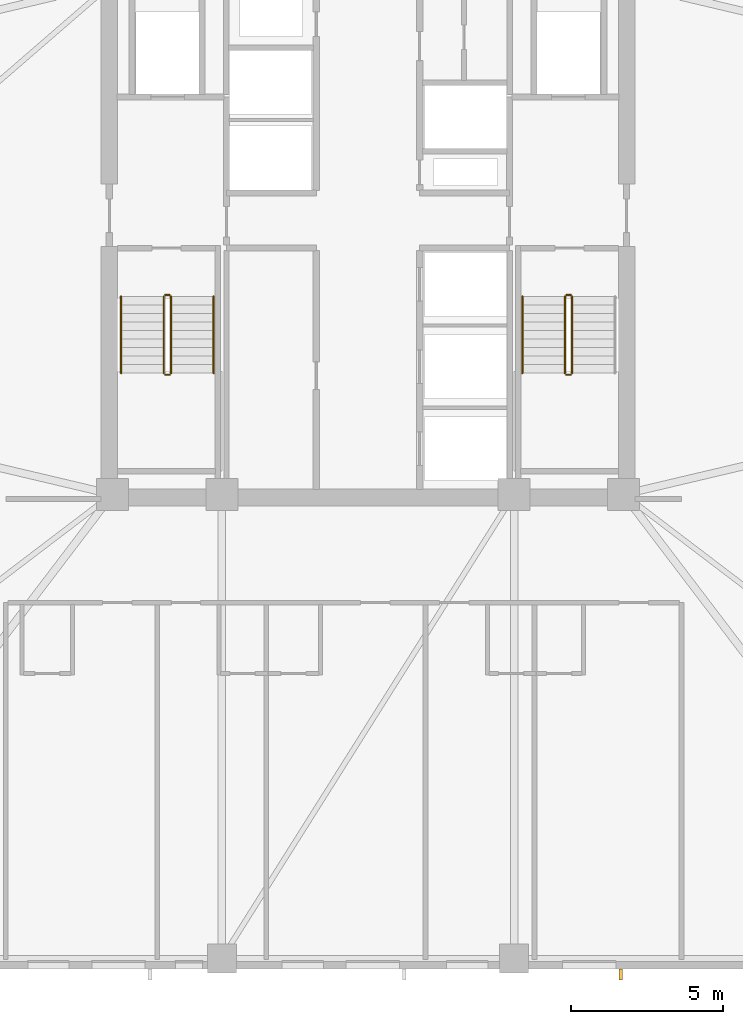
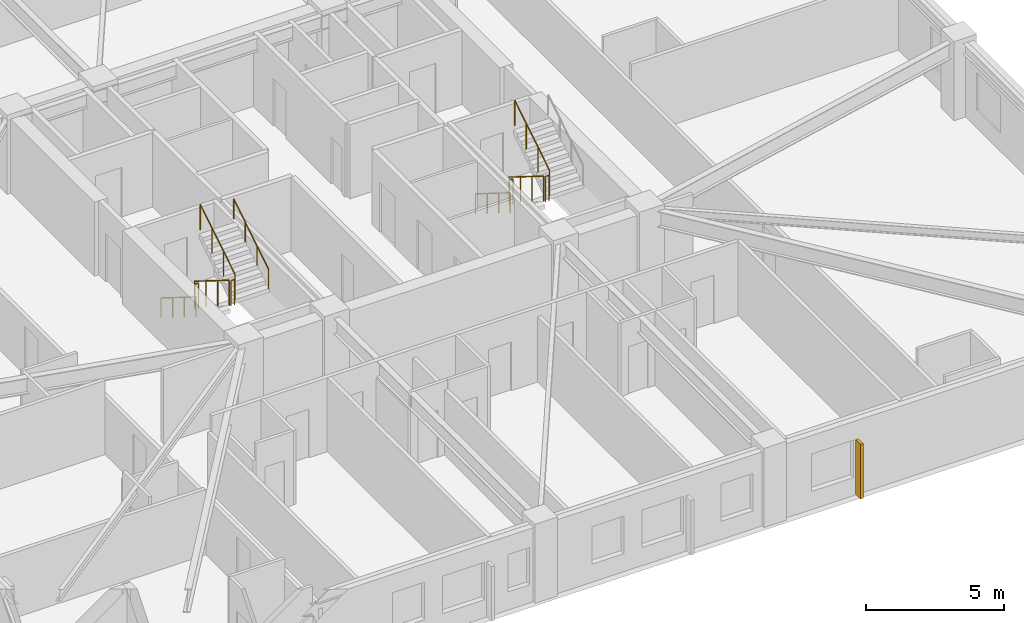
# One storey, part 8 of 11: 11 railings, 1 shading device.
"""IFC4 building model written with IfcOpenShell, lengths in metres."""

from ifc_helpers import new_model, si_unit, direction, frame, origin, origin_2d, place, context, subcontext, project, spatial, rectangle, circle, extrude, material, type_object, element, save


model = new_model("IFC4")

# Units and contexts
model_context = context("Model", 3, precision=1e-05, world=origin(), true_north=direction((0.0, 1.0)))
body_context = subcontext(model_context, "Body", "Model", "MODEL_VIEW")
ifc_project = project(units=[si_unit("LENGTHUNIT", "METRE"), si_unit("AREAUNIT", "SQUARE_METRE"), si_unit("VOLUMEUNIT", "CUBIC_METRE"), si_unit("PLANEANGLEUNIT", "RADIAN"), si_unit("MASSUNIT", "GRAM", prefix="KILO")], contexts=[model_context])

# Site, building, storey
site_placement = place(None, origin())
site = spatial("IfcSite", under=ifc_project, at=site_placement, CompositionType="ELEMENT")
building_placement = place(site_placement, origin())
building = spatial("IfcBuilding", under=site, at=building_placement, Name="Cairnveth Concourse Tower", CompositionType="ELEMENT")
storey_placement = place(building_placement, frame((0.0, 0.0, 116.5)))
storey = spatial("IfcBuildingStorey", under=building, at=storey_placement, Name="L31", CompositionType="ELEMENT", Elevation=116.5)

# Shading device
ifc_material_1 = material(Name="Architectural Bronze Anodised Aluminium 6063-T6", Category="aluminium")
shading_device_type = type_object("IfcShadingDeviceType", Name="GOTHIC BRONZE VERTICAL LANCET FIN", PredefinedType="USERDEFINED", material=ifc_material_1)
shading_device_placement = place(storey_placement, frame((60.301025390625, 14.824951171875, 0.030029296875), z_axis=(0.0, 0.0, 1.0), x_axis=(1.0, 0.0, 0.0)))
element("IfcShadingDevice", 1, at=shading_device_placement, inside=storey, type_object=shading_device_type, Name="Gothic Bronze Vertical Fin L31-9-3", ObjectType="VERTICAL FIN", PredefinedType="USERDEFINED", context=body_context, shape_type="SweptSolid", body=[
    extrude(rectangle(XDim=0.1201171875, YDim=0.360107421875, at=origin_2d()), origin(), (0.0, 0.0, 1.0), 2.419921875),
])

# Railings
ifc_material_2 = material(Name="Steel Grade 350", Category="steel")
railing_type_1 = type_object("IfcRailingType", Name="STAIR GUARDRAIL 1150", PredefinedType="GUARDRAIL", material=ifc_material_2)
railing_1_placement = place(storey_placement, frame((45.2900390625, 37.10009765625, 0.175048828125)))
element("IfcRailing", 2, at=railing_1_placement, inside=storey, type_object=railing_type_1, Name="L31 ST-1 stair guard 1", PredefinedType="GUARDRAIL", context=body_context, shape_type="SweptSolid", body=[
    extrude(circle(Radius=0.02392578125, at=origin_2d()), frame((0.0, 0.0, 1.1259765625), z_axis=(0.0, -0.848007534815, 0.529984170421), x_axis=(1.0, 0.0, 0.0)), (0.0, 0.0, 1.0), 2.9716796875),
    extrude(circle(Radius=0.02099609375, at=origin_2d()), origin(), (0.0, 0.0, 1.0), 1.101806640625),
    extrude(circle(Radius=0.02099609375, at=origin_2d()), frame((0.0, -0.840087890625, 0.52490234375)), (0.0, 0.0, 1.0), 1.101806640625),
    extrude(circle(Radius=0.02099609375, at=origin_2d()), frame((0.0, -1.679931640625, 1.050048828125)), (0.0, 0.0, 1.0), 1.101806640625),
    extrude(circle(Radius=0.02099609375, at=origin_2d()), frame((0.0, -2.52001953125, 1.574951171875)), (0.0, 0.0, 1.0), 1.101806640625),
])
railing_2_placement = place(storey_placement, frame((45.340087890625, 34.530029296875, 1.75)))
element("IfcRailing", 3, at=railing_2_placement, inside=storey, type_object=railing_type_1, Name="L31 ST-1 stair guard 2", PredefinedType="GUARDRAIL", context=body_context, shape_type="SweptSolid", body=[
    extrude(circle(Radius=0.02392578125, at=origin_2d()), frame((0.0, 0.0, 1.1259765625), z_axis=(1.0, 0.0, 0.0), x_axis=(0.0, 1.0, 0.0)), (0.0, 0.0, 1.0), 0.139892578125),
    extrude(circle(Radius=0.02099609375, at=origin_2d()), origin(), (0.0, 0.0, 1.0), 1.101806640625),
    extrude(circle(Radius=0.02099609375, at=origin_2d()), frame((0.139892578125, 0.0, 0.0)), (0.0, 0.0, 1.0), 1.101806640625),
])
railing_3_placement = place(storey_placement, frame((45.530029296875, 34.580078125, 1.925048828125)))
element("IfcRailing", 4, at=railing_3_placement, inside=storey, type_object=railing_type_1, Name="L31 ST-1 stair guard 3", PredefinedType="GUARDRAIL", context=body_context, shape_type="SweptSolid", body=[
    extrude(circle(Radius=0.02392578125, at=origin_2d()), frame((0.0, 0.0, 1.1259765625), z_axis=(0.0, 0.848007534815, 0.529984170421), x_axis=(-1.0, 0.0, 0.0)), (0.0, 0.0, 1.0), 2.9716796875),
    extrude(circle(Radius=0.02099609375, at=origin_2d()), origin(), (0.0, 0.0, 1.0), 1.101806640625),
    extrude(circle(Radius=0.02099609375, at=origin_2d()), frame((0.0, 0.840087890625, 0.52490234375)), (0.0, 0.0, 1.0), 1.101806640625),
    extrude(circle(Radius=0.02099609375, at=origin_2d()), frame((0.0, 1.679931640625, 1.050048828125)), (0.0, 0.0, 1.0), 1.101806640625),
    extrude(circle(Radius=0.02099609375, at=origin_2d()), frame((0.0, 2.52001953125, 1.574951171875)), (0.0, 0.0, 1.0), 1.101806640625),
])
railing_4_placement = place(storey_placement, frame((45.340087890625, 37.14990234375, 0.0)))
element("IfcRailing", 5, at=railing_4_placement, inside=storey, type_object=railing_type_1, Name="L31 ST-1 stair guard 4", PredefinedType="GUARDRAIL", context=body_context, shape_type="SweptSolid", body=[
    extrude(circle(Radius=0.02392578125, at=origin_2d()), frame((0.0, 0.0, 1.1259765625), z_axis=(1.0, 0.0, 0.0), x_axis=(0.0, 1.0, 0.0)), (0.0, 0.0, 1.0), 0.139892578125),
    extrude(circle(Radius=0.02099609375, at=origin_2d()), origin(), (0.0, 0.0, 1.0), 1.101806640625),
    extrude(circle(Radius=0.02099609375, at=origin_2d()), frame((0.139892578125, 0.0, 0.0)), (0.0, 0.0, 1.0), 1.101806640625),
])
railing_5_placement = place(storey_placement, frame((58.469970703125, 37.10009765625, 0.175048828125)))
element("IfcRailing", 6, at=railing_5_placement, inside=storey, type_object=railing_type_1, Name="L31 ST-2 stair guard 1", PredefinedType="GUARDRAIL", context=body_context, shape_type="SweptSolid", body=[
    extrude(circle(Radius=0.02392578125, at=origin_2d()), frame((0.0, 0.0, 1.1259765625), z_axis=(0.0, -0.848007534815, 0.529984170421), x_axis=(1.0, 0.0, 0.0)), (0.0, 0.0, 1.0), 2.9716796875),
    extrude(circle(Radius=0.02099609375, at=origin_2d()), origin(), (0.0, 0.0, 1.0), 1.101806640625),
    extrude(circle(Radius=0.02099609375, at=origin_2d()), frame((0.0, -0.840087890625, 0.52490234375)), (0.0, 0.0, 1.0), 1.101806640625),
    extrude(circle(Radius=0.02099609375, at=origin_2d()), frame((0.0, -1.679931640625, 1.050048828125)), (0.0, 0.0, 1.0), 1.101806640625),
    extrude(circle(Radius=0.02099609375, at=origin_2d()), frame((0.0, -2.52001953125, 1.574951171875)), (0.0, 0.0, 1.0), 1.101806640625),
])
railing_6_placement = place(storey_placement, frame((58.52001953125, 34.530029296875, 1.75)))
element("IfcRailing", 7, at=railing_6_placement, inside=storey, type_object=railing_type_1, Name="L31 ST-2 stair guard 2", PredefinedType="GUARDRAIL", context=body_context, shape_type="SweptSolid", body=[
    extrude(circle(Radius=0.02392578125, at=origin_2d()), frame((0.0, 0.0, 1.1259765625), z_axis=(1.0, 0.0, 0.0), x_axis=(0.0, 1.0, 0.0)), (0.0, 0.0, 1.0), 0.139892578125),
    extrude(circle(Radius=0.02099609375, at=origin_2d()), origin(), (0.0, 0.0, 1.0), 1.101806640625),
    extrude(circle(Radius=0.02099609375, at=origin_2d()), frame((0.139892578125, 0.0, 0.0)), (0.0, 0.0, 1.0), 1.101806640625),
])
railing_7_placement = place(storey_placement, frame((58.7099609375, 34.580078125, 1.925048828125)))
element("IfcRailing", 8, at=railing_7_placement, inside=storey, type_object=railing_type_1, Name="L31 ST-2 stair guard 3", PredefinedType="GUARDRAIL", context=body_context, shape_type="SweptSolid", body=[
    extrude(circle(Radius=0.02392578125, at=origin_2d()), frame((0.0, 0.0, 1.1259765625), z_axis=(0.0, 0.848007534815, 0.529984170421), x_axis=(-1.0, 0.0, 0.0)), (0.0, 0.0, 1.0), 2.9716796875),
    extrude(circle(Radius=0.02099609375, at=origin_2d()), origin(), (0.0, 0.0, 1.0), 1.101806640625),
    extrude(circle(Radius=0.02099609375, at=origin_2d()), frame((0.0, 0.840087890625, 0.52490234375)), (0.0, 0.0, 1.0), 1.101806640625),
    extrude(circle(Radius=0.02099609375, at=origin_2d()), frame((0.0, 1.679931640625, 1.050048828125)), (0.0, 0.0, 1.0), 1.101806640625),
    extrude(circle(Radius=0.02099609375, at=origin_2d()), frame((0.0, 2.52001953125, 1.574951171875)), (0.0, 0.0, 1.0), 1.101806640625),
])
railing_8_placement = place(storey_placement, frame((58.52001953125, 37.14990234375, 0.0)))
element("IfcRailing", 9, at=railing_8_placement, inside=storey, type_object=railing_type_1, Name="L31 ST-2 stair guard 4", PredefinedType="GUARDRAIL", context=body_context, shape_type="SweptSolid", body=[
    extrude(circle(Radius=0.02392578125, at=origin_2d()), frame((0.0, 0.0, 1.1259765625), z_axis=(1.0, 0.0, 0.0), x_axis=(0.0, 1.0, 0.0)), (0.0, 0.0, 1.0), 0.139892578125),
    extrude(circle(Radius=0.02099609375, at=origin_2d()), origin(), (0.0, 0.0, 1.0), 1.101806640625),
    extrude(circle(Radius=0.02099609375, at=origin_2d()), frame((0.139892578125, 0.0, 0.0)), (0.0, 0.0, 1.0), 1.101806640625),
])
railing_type_2 = type_object("IfcRailingType", Name="STAIR WALL HANDRAIL 900", PredefinedType="HANDRAIL", material=ifc_material_2)
railing_9_placement = place(storey_placement, frame((43.889892578125, 37.10009765625, 0.175048828125)))
element("IfcRailing", 10, at=railing_9_placement, inside=storey, type_object=railing_type_2, Name="L31 ST-1 stair handrail 1", PredefinedType="HANDRAIL", context=body_context, shape_type="SweptSolid", body=[
    extrude(circle(Radius=0.02392578125, at=origin_2d()), frame((0.0, 0.0, 0.8759765625), z_axis=(0.0, -0.848007534815, 0.529984170421), x_axis=(1.0, 0.0, 0.0)), (0.0, 0.0, 1.0), 2.9716796875),
    extrude(circle(Radius=0.02099609375, at=origin_2d()), origin(), (0.0, 0.0, 1.0), 0.851806640625),
    extrude(circle(Radius=0.02099609375, at=origin_2d()), frame((0.0, -0.840087890625, 0.52490234375)), (0.0, 0.0, 1.0), 0.851806640625),
    extrude(circle(Radius=0.02099609375, at=origin_2d()), frame((0.0, -1.679931640625, 1.050048828125)), (0.0, 0.0, 1.0), 0.851806640625),
    extrude(circle(Radius=0.02099609375, at=origin_2d()), frame((0.0, -2.52001953125, 1.574951171875)), (0.0, 0.0, 1.0), 0.851806640625),
])
railing_10_placement = place(storey_placement, frame((46.929931640625, 34.580078125, 1.925048828125)))
element("IfcRailing", 11, at=railing_10_placement, inside=storey, type_object=railing_type_2, Name="L31 ST-1 stair handrail 2", PredefinedType="HANDRAIL", context=body_context, shape_type="SweptSolid", body=[
    extrude(circle(Radius=0.02392578125, at=origin_2d()), frame((0.0, 0.0, 0.8759765625), z_axis=(0.0, 0.848007534815, 0.529984170421), x_axis=(-1.0, 0.0, 0.0)), (0.0, 0.0, 1.0), 2.9716796875),
    extrude(circle(Radius=0.02099609375, at=origin_2d()), origin(), (0.0, 0.0, 1.0), 0.851806640625),
    extrude(circle(Radius=0.02099609375, at=origin_2d()), frame((0.0, 0.840087890625, 0.52490234375)), (0.0, 0.0, 1.0), 0.851806640625),
    extrude(circle(Radius=0.02099609375, at=origin_2d()), frame((0.0, 1.679931640625, 1.050048828125)), (0.0, 0.0, 1.0), 0.851806640625),
    extrude(circle(Radius=0.02099609375, at=origin_2d()), frame((0.0, 2.52001953125, 1.574951171875)), (0.0, 0.0, 1.0), 0.851806640625),
])
railing_11_placement = place(storey_placement, frame((57.070068359375, 37.10009765625, 0.175048828125)))
element("IfcRailing", 12, at=railing_11_placement, inside=storey, type_object=railing_type_2, Name="L31 ST-2 stair handrail 1", PredefinedType="HANDRAIL", context=body_context, shape_type="SweptSolid", body=[
    extrude(circle(Radius=0.02392578125, at=origin_2d()), frame((0.0, 0.0, 0.8759765625), z_axis=(0.0, -0.848007534815, 0.529984170421), x_axis=(1.0, 0.0, 0.0)), (0.0, 0.0, 1.0), 2.9716796875),
    extrude(circle(Radius=0.02099609375, at=origin_2d()), origin(), (0.0, 0.0, 1.0), 0.851806640625),
    extrude(circle(Radius=0.02099609375, at=origin_2d()), frame((0.0, -0.840087890625, 0.52490234375)), (0.0, 0.0, 1.0), 0.851806640625),
    extrude(circle(Radius=0.02099609375, at=origin_2d()), frame((0.0, -1.679931640625, 1.050048828125)), (0.0, 0.0, 1.0), 0.851806640625),
    extrude(circle(Radius=0.02099609375, at=origin_2d()), frame((0.0, -2.52001953125, 1.574951171875)), (0.0, 0.0, 1.0), 0.851806640625),
])

save(model, "model.ifc")
